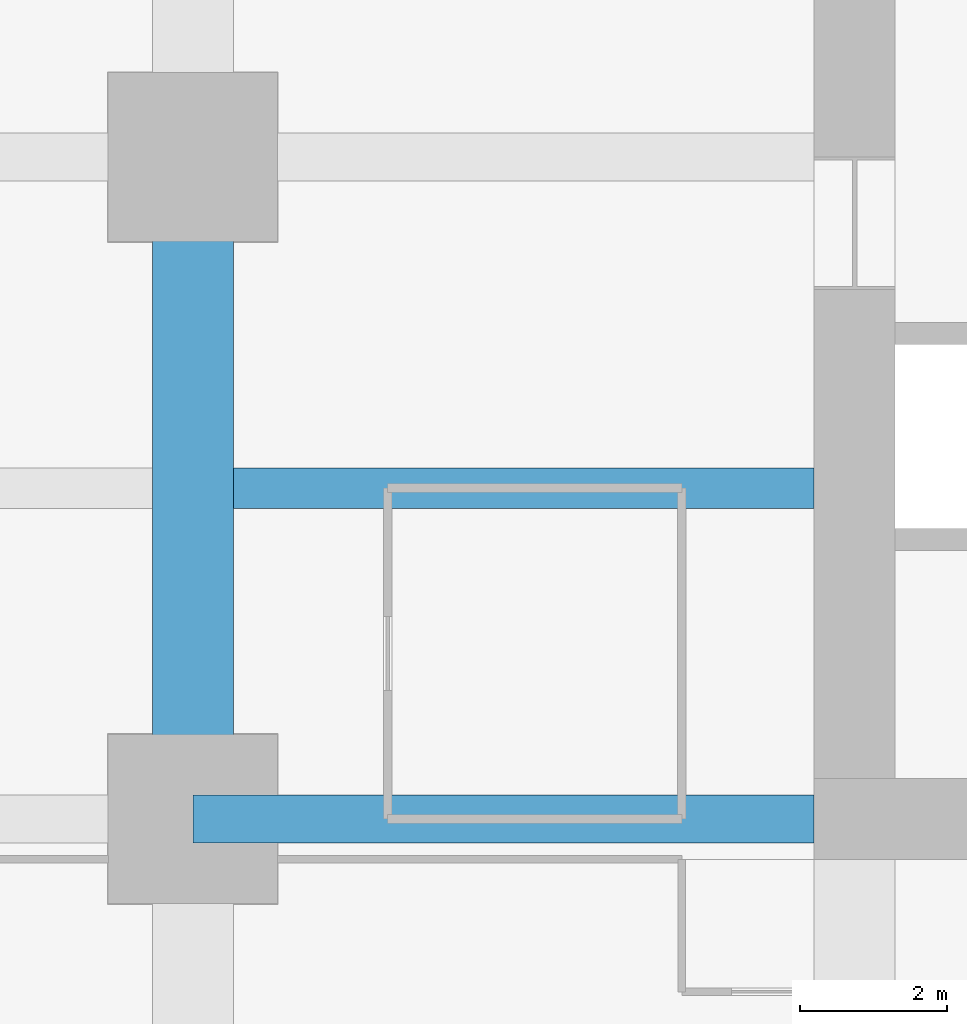
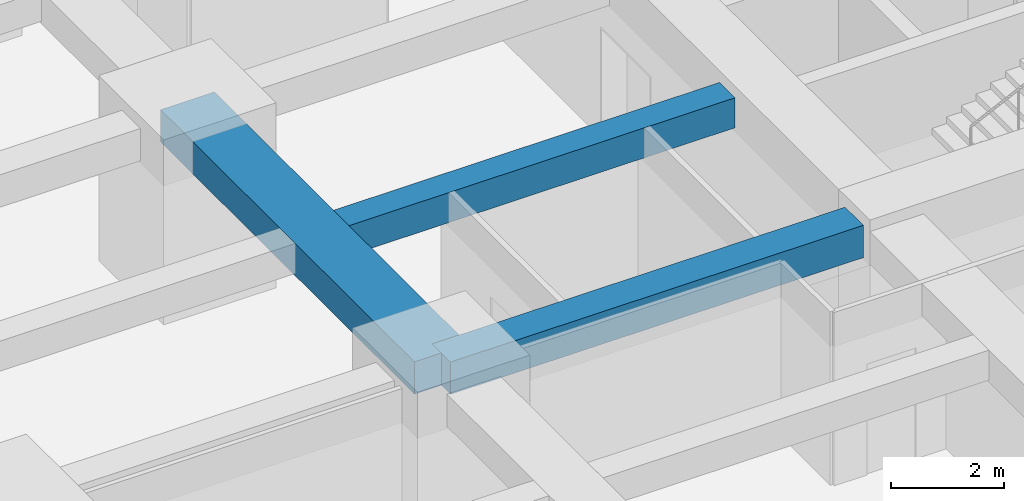
# One storey, part 10 of 45: 3 beams.
"""IFC4 building model written with IfcOpenShell, lengths in metres."""

from ifc_helpers import new_model, si_unit, direction, frame, origin, origin_2d, place, context, subcontext, project, spatial, rectangle, extrude, material, material_profile, profile_set, type_object, element, save


model = new_model("IFC4")

# Units and contexts
model_context = context("Model", 3, precision=1e-05, world=origin(), true_north=direction((0.0, 1.0)))
body_context = subcontext(model_context, "Body", "Model", "MODEL_VIEW")
ifc_project = project(units=[si_unit("LENGTHUNIT", "METRE"), si_unit("AREAUNIT", "SQUARE_METRE"), si_unit("VOLUMEUNIT", "CUBIC_METRE"), si_unit("PLANEANGLEUNIT", "RADIAN"), si_unit("MASSUNIT", "GRAM", prefix="KILO")], contexts=[model_context])

# Site, building, storey
site_placement = place(None, origin())
site = spatial("IfcSite", under=ifc_project, at=site_placement, CompositionType="ELEMENT")
building_placement = place(site_placement, origin())
building = spatial("IfcBuilding", under=site, at=building_placement, Name="Zorevar Civic Tower", CompositionType="ELEMENT")
storey_placement = place(building_placement, frame((0.0, 0.0, 47.800048828125)))
storey = spatial("IfcBuildingStorey", under=building, at=storey_placement, Name="L11", CompositionType="ELEMENT", Elevation=47.800048828125)

# Beams
ifc_material_1 = material(Name="Concrete C50/60", Category="concrete")
ifc_material_profile_1 = material_profile(ifc_material_1, rectangle(XDim=1.10009765625, YDim=0.699951171875, at=origin_2d()), Name="RC 1100x700")
ifc_profile_set_1 = profile_set([ifc_material_profile_1], Name="Concrete C50/60")
beam_type_1 = type_object("IfcBeamType", Name="Beam RC 1100x700", PredefinedType="BEAM", material=ifc_profile_set_1)
beam_1_placement = place(storey_placement, frame((9.0, 18.0, 3.39990234375), z_axis=(0.0, 1.0, 0.0), x_axis=(-1.0, 0.0, 0.0)))
element("IfcBeam", 1, at=beam_1_placement, inside=storey, type_object=beam_type_1, Name="Girder L12", PredefinedType="BEAM", context=body_context, shape_type="SweptSolid", body=[
    extrude(rectangle(XDim=1.10009765625, YDim=0.699951171875, at=origin_2d()), origin(), (0.0, 0.0, 1.0), 9.0),
])
ifc_material_2 = material(Name="Concrete C50/60", Category="concrete")
ifc_material_profile_2 = material_profile(ifc_material_2, rectangle(XDim=0.550048828125, YDim=0.64990234375, at=origin_2d()), Name="RC 550x650")
ifc_profile_set_2 = profile_set([ifc_material_profile_2], Name="Concrete C50/60")
beam_type_2 = type_object("IfcBeamType", Name="Beam RC 550x650", PredefinedType="BEAM", material=ifc_profile_set_2)
beam_2_placement = place(storey_placement, frame((9.550048828125, 22.5, 3.425048828125), z_axis=(1.0, 0.0, 0.0), x_axis=(0.0, 1.0, 0.0)))
element("IfcBeam", 2, at=beam_2_placement, inside=storey, type_object=beam_type_2, Name="Secondary beam L12", PredefinedType="BEAM", context=body_context, shape_type="SweptSolid", body=[
    extrude(rectangle(XDim=0.550048828125, YDim=0.64990234375, at=origin_2d()), origin(), (0.0, 0.0, 1.0), 7.89990234375),
])
ifc_material_3 = material(Name="Concrete C50/60", Category="concrete")
ifc_material_profile_3 = material_profile(ifc_material_3, rectangle(XDim=0.64990234375, YDim=0.699951171875, at=origin_2d()), Name="RC 650x700")
ifc_profile_set_3 = profile_set([ifc_material_profile_3], Name="Concrete C50/60")
beam_type_3 = type_object("IfcBeamType", Name="Beam RC 650x700", PredefinedType="BEAM", material=ifc_profile_set_3)
beam_3_placement = place(storey_placement, frame((9.0, 18.0, 3.39990234375), z_axis=(1.0, 0.0, 0.0), x_axis=(0.0, 1.0, 0.0)))
element("IfcBeam", 3, at=beam_3_placement, inside=storey, type_object=beam_type_3, Name="Girder L12", PredefinedType="BEAM", context=body_context, shape_type="SweptSolid", body=[
    extrude(rectangle(XDim=0.64990234375, YDim=0.699951171875, at=origin_2d()), origin(), (0.0, 0.0, 1.0), 8.449951171875),
])

save(model, "model.ifc")
